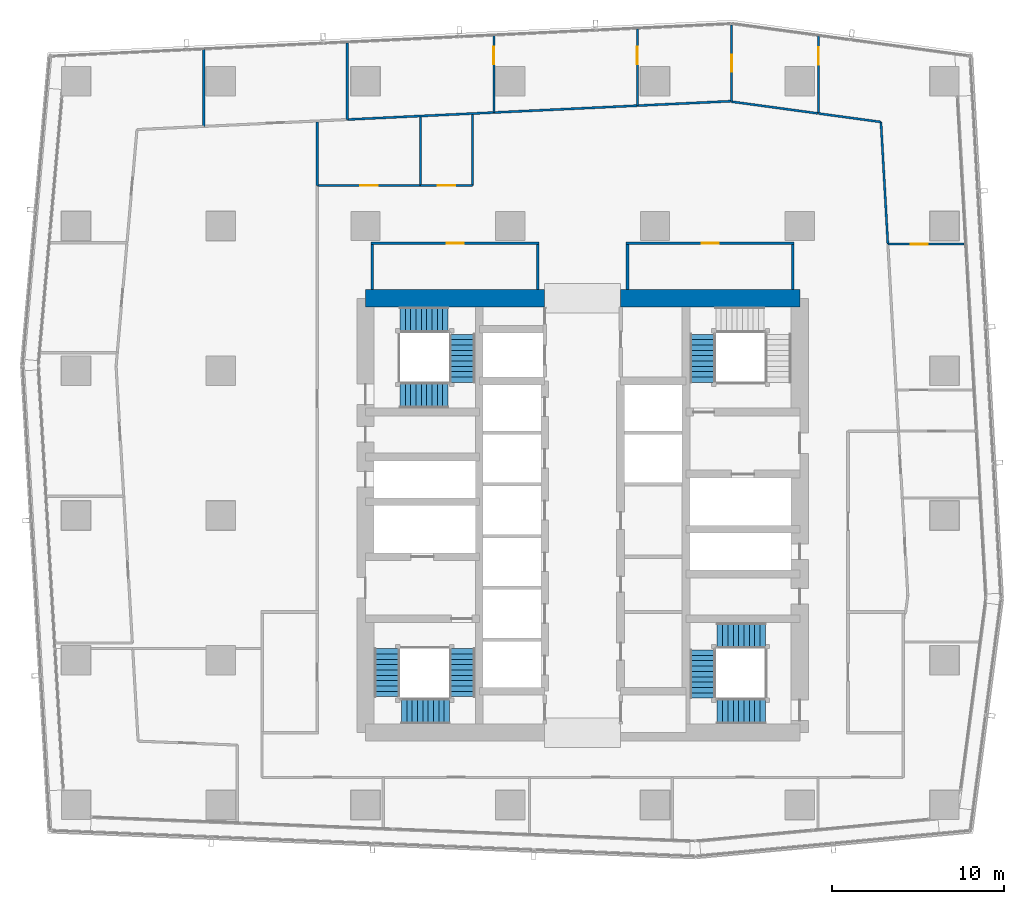
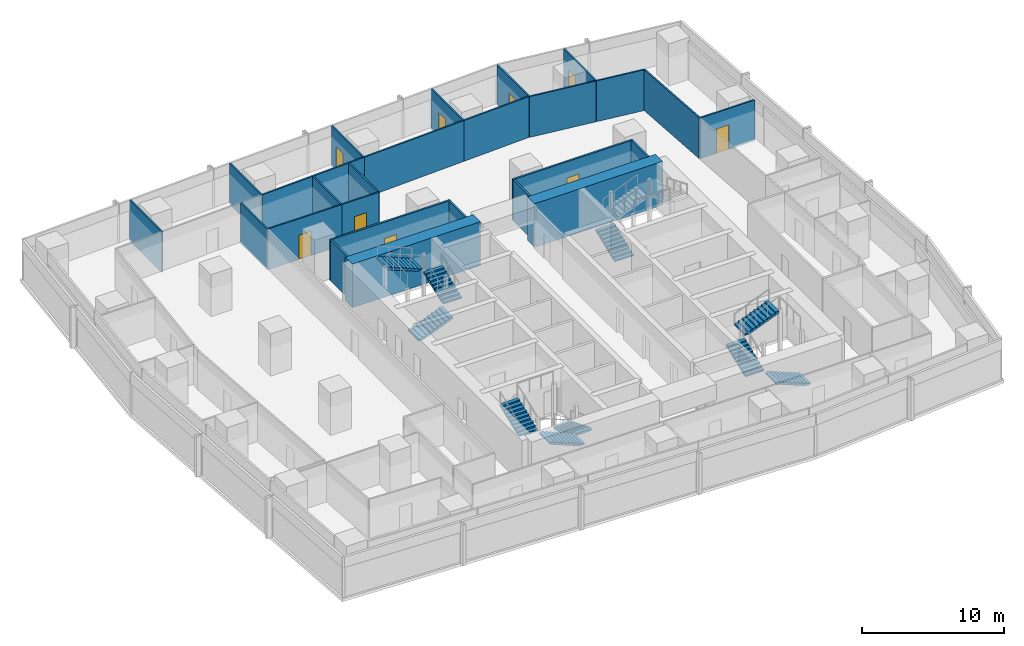
# One storey, part 30 of 39: 26 walls, 10 stair flights, 9 doors, 9 openings, 4 elements without a shape of their own.
"""IFC4 building model written with IfcOpenShell, lengths in metres."""

from ifc_helpers import new_model, si_unit, direction, frame, frame_2d, origin, place, context, subcontext, project, spatial, polyline, rectangle, outline, extrude, material, layer, layer_set, type_object, element, fill, aggregate, save


model = new_model("IFC4")

# Units and contexts
model_context = context("Model", 3, precision=1e-05, world=origin(), true_north=direction((0.0, 1.0)))
body_context = subcontext(model_context, "Body", "Model", "MODEL_VIEW")
ifc_project = project(units=[si_unit("LENGTHUNIT", "METRE"), si_unit("AREAUNIT", "SQUARE_METRE"), si_unit("VOLUMEUNIT", "CUBIC_METRE"), si_unit("PLANEANGLEUNIT", "RADIAN"), si_unit("MASSUNIT", "GRAM", prefix="KILO")], contexts=[model_context])

# Site, building, storey
site_placement = place(None, origin())
site = spatial("IfcSite", under=ifc_project, at=site_placement, CompositionType="ELEMENT")
building_placement = place(site_placement, origin())
building = spatial("IfcBuilding", under=site, at=building_placement, Name="Rekha Terrace Tower", CompositionType="ELEMENT")
storey_placement = place(building_placement, frame((0.0, 0.0, 183.949951171875)))
storey = spatial("IfcBuildingStorey", under=building, at=storey_placement, Name="L46", CompositionType="ELEMENT", Elevation=183.949951171875)

# Walls
ifc_material_1 = material(Name="Concrete M60", Category="concrete")
ifc_layer_1 = layer(ifc_material_1, 1.0)
ifc_layer_set_1 = layer_set([ifc_layer_1], Name="Concrete M60")
wall_type_1 = type_object("IfcWallType", Name="SW3 1000 core outer shear wall", PredefinedType="SHEAR", material=ifc_layer_set_1)
wall_1_placement = place(storey_placement, frame((25.199951171875, 46.199951171875, 0.0), z_axis=(0.0, 0.0, 1.0), x_axis=(1.0, 0.0, 0.0)))
element("IfcWall", 1, at=wall_1_placement, inside=storey, type_object=wall_type_1, Name="Core wall N1 L46", PredefinedType="SHEAR", context=body_context, shape_type="SweptSolid", body=[
    extrude(rectangle(XDim=10.400146484375, YDim=1.0, at=frame_2d((5.2001953125, 0.0))), origin(), (0.0, 0.0, 1.0), 3.75),
])
wall_2_placement = place(storey_placement, frame((40.0, 46.199951171875, 0.0), z_axis=(0.0, 0.0, 1.0), x_axis=(1.0, 0.0, 0.0)))
element("IfcWall", 2, at=wall_2_placement, inside=storey, type_object=wall_type_1, Name="Core wall N2 L46", PredefinedType="SHEAR", context=body_context, shape_type="SweptSolid", body=[
    extrude(rectangle(XDim=10.39990234375, YDim=1.0, at=frame_2d((5.199951171875, 0.0))), origin(), (0.0, 0.0, 1.0), 3.75),
])

# Wall, opening, door
ifc_material_2 = material(Name="Concrete block masonry, 1 hour", Category="masonry")
ifc_layer_2 = layer(ifc_material_2, 0.14990234375)
ifc_layer_set_2 = layer_set([ifc_layer_2], Name="Concrete block masonry, 1 hour")
wall_type_2 = type_object("IfcWallType", Name="WP2 150 tenancy partition", PredefinedType="PARTITIONING", material=ifc_layer_set_2)
wall_3_placement = place(storey_placement, frame((40.324951171875, 49.39990234375, 0.0), z_axis=(0.0, 0.0, 1.0), x_axis=(1.0, 0.0, 0.0)))
wall_3 = element("IfcWall", 3, at=wall_3_placement, inside=storey, type_object=wall_type_2, Name="Women's WC wall L46", PredefinedType="PARTITIONING", context=body_context, shape_type="SweptSolid", body=[
    extrude(rectangle(XDim=9.75, YDim=0.14990234375, at=frame_2d((4.875, 0.0))), origin(), (0.0, 0.0, 1.0), 3.5),
])
opening_1_placement = place(wall_3_placement, frame((4.375, 0.0, 0.0)))
opening_1 = element("IfcOpeningElement", 4, at=opening_1_placement, cuts=wall_3, Name="Opening D3", PredefinedType="OPENING", context=body_context, shape_type="SweptSolid", body=[
    extrude(rectangle(XDim=1.0, YDim=2.10009765625, at=frame_2d((0.5, 1.050048828125))), frame((0.0, 0.0849609375, 0.0), z_axis=(0.0, -1.0, 0.0), x_axis=(1.0, 0.0, 0.0)), (0.0, 0.0, 1.0), 0.169921875),
])
ifc_material_3 = material(Name="Laminated timber fire door", Category="wood")
door_type_1 = type_object("IfcDoorType", Name="D3 1000x2100 WC door", OperationType="SINGLE_SWING_LEFT", PredefinedType="DOOR", material=ifc_material_3)
door_1_placement = place(opening_1_placement, origin())
door_1 = element("IfcDoor", 5, at=door_1_placement, inside=storey, type_object=door_type_1, Name="Door women's wc L46", OperationType="SINGLE_SWING_LEFT", OverallHeight=2.10009765625, OverallWidth=1.0, PredefinedType="DOOR", context=body_context, shape_type="SweptSolid", body=[
    extrude(rectangle(XDim=1.0, YDim=2.10009765625, at=frame_2d((0.5, 1.050048828125))), frame((0.0, 0.02490234375, 0.0), z_axis=(0.0, -1.0, 0.0), x_axis=(1.0, 0.0, 0.0)), (0.0, 0.0, 1.0), 0.050048828125),
])
fill(opening_1, door_1)

# Walls
for number, where, z_axis, x_axis, name in (
    (6, (40.39990234375, 46.699951171875, 0.0), (0.0, 0.0, 1.0), (0.0, 1.0, 0.0), "Women's WC wall L46"),
    (7, (50.0, 46.699951171875, 0.0), (0.0, 0.0, 1.0), (0.0, 1.0, 0.0), "Women's WC wall L46"),
):
    element("IfcWall", number, at=place(storey_placement, frame(where, z_axis=z_axis, x_axis=x_axis)), inside=storey, type_object=wall_type_2, Name=name, PredefinedType="PARTITIONING", context=body_context, shape_type="SweptSolid", body=[
        extrude(rectangle(XDim=2.625, YDim=0.14990234375, at=frame_2d((1.3125, 0.0))), origin(), (0.0, 0.0, 1.0), 3.5),
    ])

# Wall, opening, door
wall_4_placement = place(storey_placement, frame((25.52490234375, 49.39990234375, 0.0), z_axis=(0.0, 0.0, 1.0), x_axis=(1.0, 0.0, 0.0)))
wall_4 = element("IfcWall", 8, at=wall_4_placement, inside=storey, type_object=wall_type_2, Name="Women's WC wall L46", PredefinedType="PARTITIONING", context=body_context, shape_type="SweptSolid", body=[
    extrude(rectangle(XDim=9.75, YDim=0.14990234375, at=frame_2d((4.875, 0.0))), origin(), (0.0, 0.0, 1.0), 3.5),
])
opening_2_placement = place(wall_4_placement, frame((4.375, 0.0, 0.0)))
opening_2 = element("IfcOpeningElement", 9, at=opening_2_placement, cuts=wall_4, Name="Opening D3", PredefinedType="OPENING", context=body_context, shape_type="SweptSolid", body=[
    extrude(rectangle(XDim=1.0, YDim=2.10009765625, at=frame_2d((0.5, 1.050048828125))), frame((0.0, 0.0849609375, 0.0), z_axis=(0.0, -1.0, 0.0), x_axis=(1.0, 0.0, 0.0)), (0.0, 0.0, 1.0), 0.169921875),
])
door_2_placement = place(opening_2_placement, origin())
door_2 = element("IfcDoor", 10, at=door_2_placement, inside=storey, type_object=door_type_1, Name="Door women's wc L46", OperationType="SINGLE_SWING_LEFT", OverallHeight=2.10009765625, OverallWidth=1.0, PredefinedType="DOOR", context=body_context, shape_type="SweptSolid", body=[
    extrude(rectangle(XDim=1.0, YDim=2.10009765625, at=frame_2d((0.5, 1.050048828125))), frame((0.0, 0.02490234375, 0.0), z_axis=(0.0, -1.0, 0.0), x_axis=(1.0, 0.0, 0.0)), (0.0, 0.0, 1.0), 0.050048828125),
])
fill(opening_2, door_2)

# Walls
for number, where, z_axis, x_axis, name in (
    (11, (25.60009765625, 46.699951171875, 0.0), (0.0, 0.0, 1.0), (0.0, 1.0, 0.0), "Women's WC wall L46"),
    (12, (35.199951171875, 46.699951171875, 0.0), (0.0, 0.0, 1.0), (0.0, 1.0, 0.0), "Women's WC wall L46"),
):
    element("IfcWall", number, at=place(storey_placement, frame(where, z_axis=z_axis, x_axis=x_axis)), inside=storey, type_object=wall_type_2, Name=name, PredefinedType="PARTITIONING", context=body_context, shape_type="SweptSolid", body=[
        extrude(rectangle(XDim=2.625, YDim=0.14990234375, at=frame_2d((1.3125, 0.0))), origin(), (0.0, 0.0, 1.0), 3.5),
    ])

# Wall, opening, door
ifc_material_4 = material(Name="Two layers of fire-rated gypsum board each side on steel studs, acoustic quilt, 1 hour", Category="steel")
ifc_layer_3 = layer(ifc_material_4, 0.125)
ifc_layer_set_3 = layer_set([ifc_layer_3], Name="Two layers of fire-rated gypsum board each side on steel studs, acoustic quilt, 1 hour")
wall_type_3 = type_object("IfcWallType", Name="WP3 125 office partition", PredefinedType="PARTITIONING", material=ifc_layer_set_3)
wall_5_placement = place(storey_placement, frame((55.511962890625, 49.345947265625, 0.0), z_axis=(0.0, 0.0, 1.0), x_axis=(1.0, 0.0, 0.0)))
wall_5 = element("IfcWall", 13, at=wall_5_placement, inside=storey, type_object=wall_type_3, Name="Partition L46-11", PredefinedType="PARTITIONING", context=body_context, shape_type="SweptSolid", body=[
    extrude(rectangle(XDim=4.427001953125, YDim=0.125, at=frame_2d((2.21337890625, 0.0))), origin(), (0.0, 0.0, 1.0), 3.5),
])
opening_3_placement = place(wall_5_placement, frame((1.31298828125, 0.0, 0.0)))
opening_3 = element("IfcOpeningElement", 14, at=opening_3_placement, cuts=wall_5, Name="Opening D9", PredefinedType="OPENING", context=body_context, shape_type="SweptSolid", body=[
    extrude(rectangle(XDim=1.0, YDim=2.10009765625, at=frame_2d((0.5, 1.050048828125))), frame((0.0, 0.072509765625, 0.0), z_axis=(0.0, -1.0, 0.0), x_axis=(1.0, 0.0, 0.0)), (0.0, 0.0, 1.0), 0.14501953125),
])
ifc_material_5 = material(Name="Timber fire door", Category="wood")
door_type_2 = type_object("IfcDoorType", Name="D9 1000x2100 office door", OperationType="SINGLE_SWING_LEFT", PredefinedType="DOOR", material=ifc_material_5)
door_3_placement = place(opening_3_placement, origin())
door_3 = element("IfcDoor", 15, at=door_3_placement, inside=storey, type_object=door_type_2, Name="Door director's office L46", OperationType="SINGLE_SWING_LEFT", OverallHeight=2.10009765625, OverallWidth=1.0, PredefinedType="DOOR", context=body_context, shape_type="SweptSolid", body=[
    extrude(rectangle(XDim=1.0, YDim=2.10009765625, at=frame_2d((0.5, 1.050048828125))), frame((0.0, 0.02490234375, 0.0), z_axis=(0.0, -1.0, 0.0), x_axis=(1.0, 0.0, 0.0)), (0.0, 0.0, 1.0), 0.050048828125),
])
fill(opening_3, door_3)

# Walls
wall_6_placement = place(storey_placement, frame((55.511962890625, 49.346923828125, 0.0), z_axis=(0.0, 0.0, 1.0), x_axis=(-0.056790198377, 0.998386134403, 0.0)))
element("IfcWall", 16, at=wall_6_placement, inside=storey, type_object=wall_type_3, Name="Partition L46-12", PredefinedType="PARTITIONING", context=body_context, shape_type="SweptSolid", body=[
    extrude(rectangle(XDim=7.09765625, YDim=0.125, at=frame_2d((3.548828125, 0.0))), origin(), (0.0, 0.0, 1.0), 3.5),
])
wall_7_placement = place(storey_placement, frame((55.10888671875, 56.43310546875, 0.0), z_axis=(0.0, 0.0, 1.0), x_axis=(-0.990875204357, 0.134782526282, 0.0)))
element("IfcWall", 17, at=wall_7_placement, inside=storey, type_object=wall_type_3, Name="Partition L46-12", PredefinedType="PARTITIONING", context=body_context, shape_type="SweptSolid", body=[
    extrude(rectangle(XDim=3.6572265625, YDim=0.125, at=frame_2d((1.82861328125, 0.0))), origin(), (0.0, 0.0, 1.0), 3.5),
])

# Wall, opening, door
wall_8_placement = place(storey_placement, frame((51.485107421875, 56.926025390625, 0.0), z_axis=(0.0, 0.0, 1.0), x_axis=(0.0, 1.0, 0.0)))
wall_8 = element("IfcWall", 18, at=wall_8_placement, inside=storey, type_object=wall_type_3, Name="Partition L46-12", PredefinedType="PARTITIONING", context=body_context, shape_type="SweptSolid", body=[
    extrude(rectangle(XDim=4.491943359375, YDim=0.125, at=frame_2d((2.24609375, 0.0))), origin(), (0.0, 0.0, 1.0), 3.5),
])
opening_4_placement = place(wall_8_placement, frame((2.8310546875, 0.0, 0.0)))
opening_4 = element("IfcOpeningElement", 19, at=opening_4_placement, cuts=wall_8, Name="Opening D9", PredefinedType="OPENING", context=body_context, shape_type="SweptSolid", body=[
    extrude(rectangle(XDim=1.0, YDim=2.10009765625, at=frame_2d((0.5, 1.050048828125))), frame((0.0, 0.072509765625, 0.0), z_axis=(0.0, -1.0, 0.0), x_axis=(1.0, 0.0, 0.0)), (0.0, 0.0, 1.0), 0.14501953125),
])
door_4_placement = place(opening_4_placement, origin())
door_4 = element("IfcDoor", 20, at=door_4_placement, inside=storey, type_object=door_type_2, Name="Door office L46", OperationType="SINGLE_SWING_LEFT", OverallHeight=2.10009765625, OverallWidth=1.0, PredefinedType="DOOR", context=body_context, shape_type="SweptSolid", body=[
    extrude(rectangle(XDim=1.0, YDim=2.10009765625, at=frame_2d((0.5, 1.050048828125))), frame((0.0, 0.02490234375, 0.0), z_axis=(0.0, -1.0, 0.0), x_axis=(1.0, 0.0, 0.0)), (0.0, 0.0, 1.0), 0.050048828125),
])
fill(opening_4, door_4)

# Wall
wall_9_placement = place(storey_placement, frame((51.422119140625, 56.93505859375, 0.0), z_axis=(0.0, 0.0, 1.0), x_axis=(-0.990875070968, 0.134783506906, 0.0)))
element("IfcWall", 21, at=wall_9_placement, inside=storey, type_object=wall_type_3, Name="Partition L46-13", PredefinedType="PARTITIONING", context=body_context, shape_type="SweptSolid", body=[
    extrude(rectangle(XDim=5.02294921875, YDim=0.125, at=frame_2d((2.511474609375, 0.0))), origin(), (0.0, 0.0, 1.0), 3.5),
])

# Wall, opening, door
wall_10_placement = place(storey_placement, frame((46.445068359375, 57.62109375, 0.0), z_axis=(0.0, 0.0, 1.0), x_axis=(0.0, 1.0, 0.0)))
wall_10 = element("IfcWall", 22, at=wall_10_placement, inside=storey, type_object=wall_type_3, Name="Partition L46-13", PredefinedType="PARTITIONING", context=body_context, shape_type="SweptSolid", body=[
    extrude(rectangle(XDim=4.44580078125, YDim=0.125, at=frame_2d((2.222900390625, 0.0))), origin(), (0.0, 0.0, 1.0), 3.5),
])
opening_5_placement = place(wall_10_placement, frame((1.718994140625, 0.0, 0.0)))
opening_5 = element("IfcOpeningElement", 23, at=opening_5_placement, cuts=wall_10, Name="Opening D9", PredefinedType="OPENING", context=body_context, shape_type="SweptSolid", body=[
    extrude(rectangle(XDim=1.0, YDim=2.10009765625, at=frame_2d((0.5, 1.050048828125))), frame((0.0, 0.072509765625, 0.0), z_axis=(0.0, -1.0, 0.0), x_axis=(1.0, 0.0, 0.0)), (0.0, 0.0, 1.0), 0.14501953125),
])
door_5_placement = place(opening_5_placement, origin())
door_5 = element("IfcDoor", 24, at=door_5_placement, inside=storey, type_object=door_type_2, Name="Door office L46", OperationType="SINGLE_SWING_LEFT", OverallHeight=2.10009765625, OverallWidth=1.0, PredefinedType="DOOR", context=body_context, shape_type="SweptSolid", body=[
    extrude(rectangle(XDim=1.0, YDim=2.10009765625, at=frame_2d((0.5, 1.050048828125))), frame((0.0, 0.02490234375, 0.0), z_axis=(0.0, -1.0, 0.0), x_axis=(1.0, 0.0, 0.0)), (0.0, 0.0, 1.0), 0.050048828125),
])
fill(opening_5, door_5)

wall_11_placement = place(storey_placement, frame((40.97802734375, 57.381103515625, 0.0), z_axis=(0.0, 0.0, 1.0), x_axis=(0.0, 1.0, 0.0)))
wall_11 = element("IfcWall", 25, at=wall_11_placement, inside=storey, type_object=wall_type_3, Name="Partition L46-14", PredefinedType="PARTITIONING", context=body_context, shape_type="SweptSolid", body=[
    extrude(rectangle(XDim=4.454833984375, YDim=0.125, at=frame_2d((2.2275390625, 0.0))), origin(), (0.0, 0.0, 1.0), 3.5),
])
opening_6_placement = place(wall_11_placement, frame((2.412109375, 0.0, 0.0)))
opening_6 = element("IfcOpeningElement", 26, at=opening_6_placement, cuts=wall_11, Name="Opening D9", PredefinedType="OPENING", context=body_context, shape_type="SweptSolid", body=[
    extrude(rectangle(XDim=1.0, YDim=2.10009765625, at=frame_2d((0.5, 1.050048828125))), frame((0.0, 0.072509765625, 0.0), z_axis=(0.0, -1.0, 0.0), x_axis=(1.0, 0.0, 0.0)), (0.0, 0.0, 1.0), 0.14501953125),
])
door_6_placement = place(opening_6_placement, origin())
door_6 = element("IfcDoor", 27, at=door_6_placement, inside=storey, type_object=door_type_2, Name="Door office L46", OperationType="SINGLE_SWING_LEFT", OverallHeight=2.10009765625, OverallWidth=1.0, PredefinedType="DOOR", context=body_context, shape_type="SweptSolid", body=[
    extrude(rectangle(XDim=1.0, YDim=2.10009765625, at=frame_2d((0.5, 1.050048828125))), frame((0.0, 0.02490234375, 0.0), z_axis=(0.0, -1.0, 0.0), x_axis=(1.0, 0.0, 0.0)), (0.0, 0.0, 1.0), 0.050048828125),
])
fill(opening_6, door_6)

# Walls
wall_12_placement = place(storey_placement, frame((46.383056640625, 57.638916015625, 0.0), z_axis=(0.0, 0.0, 1.0), x_axis=(-0.998864357741, -0.047644462793, 0.0)))
element("IfcWall", 28, at=wall_12_placement, inside=storey, type_object=wall_type_3, Name="Partition L46-14", PredefinedType="PARTITIONING", context=body_context, shape_type="SweptSolid", body=[
    extrude(rectangle(XDim=5.4111328125, YDim=0.125, at=frame_2d((2.70556640625, 0.0))), origin(), (0.0, 0.0, 1.0), 3.5),
])
wall_13_placement = place(storey_placement, frame((40.97705078125, 57.381103515625, 0.0), z_axis=(0.0, 0.0, 1.0), x_axis=(-0.998858643294, -0.047764115375, 0.0)))
element("IfcWall", 29, at=wall_13_placement, inside=storey, type_object=wall_type_3, Name="Partition L46-15", PredefinedType="PARTITIONING", context=body_context, shape_type="SweptSolid", body=[
    extrude(rectangle(XDim=8.336669921875, YDim=0.125, at=frame_2d((4.16845703125, 0.0))), origin(), (0.0, 0.0, 1.0), 3.5),
])

# Wall, opening, door
wall_14_placement = place(storey_placement, frame((32.64990234375, 56.98291015625, 0.0), z_axis=(0.0, 0.0, 1.0), x_axis=(0.0, 1.0, 0.0)))
wall_14 = element("IfcWall", 30, at=wall_14_placement, inside=storey, type_object=wall_type_3, Name="Partition L46-15", PredefinedType="PARTITIONING", context=body_context, shape_type="SweptSolid", body=[
    extrude(rectangle(XDim=4.455078125, YDim=0.125, at=frame_2d((2.2275390625, 0.0))), origin(), (0.0, 0.0, 1.0), 3.5),
])
opening_7_placement = place(wall_14_placement, frame((2.81201171875, 0.0, 0.0)))
opening_7 = element("IfcOpeningElement", 31, at=opening_7_placement, cuts=wall_14, Name="Opening D9", PredefinedType="OPENING", context=body_context, shape_type="SweptSolid", body=[
    extrude(rectangle(XDim=1.0, YDim=2.10009765625, at=frame_2d((0.5, 1.050048828125))), frame((0.0, 0.072509765625, 0.0), z_axis=(0.0, -1.0, 0.0), x_axis=(1.0, 0.0, 0.0)), (0.0, 0.0, 1.0), 0.14501953125),
])
door_7_placement = place(opening_7_placement, origin())
door_7 = element("IfcDoor", 32, at=door_7_placement, inside=storey, type_object=door_type_2, Name="Door office L46", OperationType="SINGLE_SWING_LEFT", OverallHeight=2.10009765625, OverallWidth=1.0, PredefinedType="DOOR", context=body_context, shape_type="SweptSolid", body=[
    extrude(rectangle(XDim=1.0, YDim=2.10009765625, at=frame_2d((0.5, 1.050048828125))), frame((0.0, 0.02490234375, 0.0), z_axis=(0.0, -1.0, 0.0), x_axis=(1.0, 0.0, 0.0)), (0.0, 0.0, 1.0), 0.050048828125),
])
fill(opening_7, door_7)

# Walls
wall_15_placement = place(storey_placement, frame((32.64892578125, 56.98291015625, 0.0), z_axis=(0.0, 0.0, 1.0), x_axis=(-0.998857279552, -0.047792625861, 0.0)))
element("IfcWall", 33, at=wall_15_placement, inside=storey, type_object=wall_type_3, Name="Partition L46-16", PredefinedType="PARTITIONING", context=body_context, shape_type="SweptSolid", body=[
    extrude(rectangle(XDim=8.515625, YDim=0.125, at=frame_2d((4.2578125, 0.0))), origin(), (0.0, 0.0, 1.0), 3.5),
])
for number, where, z_axis, x_axis, name in (
    (34, (24.14306640625, 56.575927734375, 0.0), (0.0, 0.0, 1.0), (0.0, 1.0, 0.0), "Partition L46-16"),
    (35, (15.81591796875, 56.177978515625, 0.0), (0.0, 0.0, 1.0), (0.0, 1.0, 0.0), "Partition L46-17"),
):
    element("IfcWall", number, at=place(storey_placement, frame(where, z_axis=z_axis, x_axis=x_axis)), inside=storey, type_object=wall_type_3, Name=name, PredefinedType="PARTITIONING", context=body_context, shape_type="SweptSolid", body=[
        extrude(rectangle(XDim=4.455078125, YDim=0.125, at=frame_2d((2.2275390625, 0.0))), origin(), (0.0, 0.0, 1.0), 3.5),
    ])
wall_16_placement = place(storey_placement, frame((28.39990234375, 56.717041015625, 0.0), z_axis=(0.0, 0.0, 1.0), x_axis=(0.0, -1.0, 0.0)))
element("IfcWall", 36, at=wall_16_placement, inside=storey, type_object=wall_type_3, Name="Partition L46-22", PredefinedType="PARTITIONING", context=body_context, shape_type="SweptSolid", body=[
    extrude(rectangle(XDim=3.967041015625, YDim=0.125, at=frame_2d((1.9833984375, 0.0))), origin(), (0.0, 0.0, 1.0), 3.5),
])

# Wall, opening, door
wall_17_placement = place(storey_placement, frame((28.39990234375, 52.75, 0.0), z_axis=(0.0, 0.0, 1.0), x_axis=(-1.0, 0.0, 0.0)))
wall_17 = element("IfcWall", 37, at=wall_17_placement, inside=storey, type_object=wall_type_3, Name="Partition L46-22", PredefinedType="PARTITIONING", context=body_context, shape_type="SweptSolid", body=[
    extrude(rectangle(XDim=6.0, YDim=0.125, at=frame_2d((3.0, 0.0))), origin(), (0.0, 0.0, 1.0), 3.5),
])
opening_8_placement = place(wall_17_placement, frame((2.5, 0.0, 0.0)))
opening_8 = element("IfcOpeningElement", 38, at=opening_8_placement, cuts=wall_17, Name="Opening D9", PredefinedType="OPENING", context=body_context, shape_type="SweptSolid", body=[
    extrude(rectangle(XDim=1.0, YDim=2.10009765625, at=frame_2d((0.5, 1.050048828125))), frame((0.0, 0.072509765625, 0.0), z_axis=(0.0, -1.0, 0.0), x_axis=(1.0, 0.0, 0.0)), (0.0, 0.0, 1.0), 0.14501953125),
])
door_8_placement = place(opening_8_placement, origin())
door_8 = element("IfcDoor", 39, at=door_8_placement, inside=storey, type_object=door_type_2, Name="Door reception L46", OperationType="SINGLE_SWING_LEFT", OverallHeight=2.10009765625, OverallWidth=1.0, PredefinedType="DOOR", context=body_context, shape_type="SweptSolid", body=[
    extrude(rectangle(XDim=1.0, YDim=2.10009765625, at=frame_2d((0.5, 1.050048828125))), frame((0.0, 0.02490234375, 0.0), z_axis=(0.0, -1.0, 0.0), x_axis=(1.0, 0.0, 0.0)), (0.0, 0.0, 1.0), 0.050048828125),
])
fill(opening_8, door_8)

# Walls
wall_18_placement = place(storey_placement, frame((22.39990234375, 52.75, 0.0), z_axis=(0.0, 0.0, 1.0), x_axis=(0.0, 1.0, 0.0)))
element("IfcWall", 40, at=wall_18_placement, inside=storey, type_object=wall_type_3, Name="Partition L46-22", PredefinedType="PARTITIONING", context=body_context, shape_type="SweptSolid", body=[
    extrude(rectangle(XDim=3.679931640625, YDim=0.125, at=frame_2d((1.83984375, 0.0))), origin(), (0.0, 0.0, 1.0), 3.5),
])
wall_19_placement = place(storey_placement, frame((31.39990234375, 56.861083984375, 0.0), z_axis=(0.0, 0.0, 1.0), x_axis=(0.0, -1.0, 0.0)))
element("IfcWall", 41, at=wall_19_placement, inside=storey, type_object=wall_type_3, Name="Partition L46-23", PredefinedType="PARTITIONING", context=body_context, shape_type="SweptSolid", body=[
    extrude(rectangle(XDim=4.111083984375, YDim=0.125, at=frame_2d((2.0556640625, 0.0))), origin(), (0.0, 0.0, 1.0), 3.5),
])

# Wall, opening, door
wall_20_placement = place(storey_placement, frame((31.39990234375, 52.75, 0.0), z_axis=(0.0, 0.0, 1.0), x_axis=(-1.0, 0.0, 0.0)))
wall_20 = element("IfcWall", 42, at=wall_20_placement, inside=storey, type_object=wall_type_3, Name="Partition L46-23", PredefinedType="PARTITIONING", context=body_context, shape_type="SweptSolid", body=[
    extrude(rectangle(XDim=3.0, YDim=0.125, at=frame_2d((1.5, 0.0))), origin(), (0.0, 0.0, 1.0), 3.5),
])
opening_9_placement = place(wall_20_placement, frame((1.0, 0.0, 0.0)))
opening_9 = element("IfcOpeningElement", 43, at=opening_9_placement, cuts=wall_20, Name="Opening D9", PredefinedType="OPENING", context=body_context, shape_type="SweptSolid", body=[
    extrude(rectangle(XDim=1.0, YDim=2.10009765625, at=frame_2d((0.5, 1.050048828125))), frame((0.0, 0.072509765625, 0.0), z_axis=(0.0, -1.0, 0.0), x_axis=(1.0, 0.0, 0.0)), (0.0, 0.0, 1.0), 0.14501953125),
])
door_9_placement = place(opening_9_placement, origin())
door_9 = element("IfcDoor", 44, at=door_9_placement, inside=storey, type_object=door_type_2, Name="Door print room L46", OperationType="SINGLE_SWING_LEFT", OverallHeight=2.10009765625, OverallWidth=1.0, PredefinedType="DOOR", context=body_context, shape_type="SweptSolid", body=[
    extrude(rectangle(XDim=1.0, YDim=2.10009765625, at=frame_2d((0.5, 1.050048828125))), frame((0.0, 0.02490234375, 0.0), z_axis=(0.0, -1.0, 0.0), x_axis=(1.0, 0.0, 0.0)), (0.0, 0.0, 1.0), 0.050048828125),
])
fill(opening_9, door_9)

# Stair, stair flights
ifc_material_6 = material(Name="Concrete M40", Category="concrete")
stair_type = type_object("IfcStairType", Name="ST30 stair, 30 risers of 125, going 310, 1500 wide flights, 3 flights", PredefinedType="HALF_TURN_STAIR", material=ifc_material_6)
stair_1_placement = place(storey_placement, origin())
stair_1 = element("IfcStair", 45, at=stair_1_placement, inside=storey, type_object=stair_type, Name="Stair ST1 L46 to L47", PredefinedType="HALF_TURN_STAIR")
stair_flight_type = type_object("IfcStairFlightType", Name="SF10 stair flight, 10 risers of 125, going 310, 1500 wide", PredefinedType="STRAIGHT", material=ifc_material_6)
stair_flight_1_placement = place(storey_placement, frame((30.824951171875, 25.875, 0.0), z_axis=(0.0, 0.0, 1.0), x_axis=(0.0, -1.0, 0.0)))
stair_flight_1 = element("IfcStairFlight", 46, at=stair_flight_1_placement, type_object=stair_flight_type, Name="ST1 flight 1", NumberOfRisers=10, NumberOfTreads=9, PredefinedType="STRAIGHT", RiserHeight=0.125, TreadLength=0.31, context=body_context, shape_type="SweptSolid", body=[
    extrude(outline(polyline([(0.0, 0.0), (0.0, 0.125), (0.31005859375, 0.125), (0.31005859375, 0.25), (0.6201171875, 0.25), (0.6201171875, 0.375), (0.929931640625, 0.375), (0.929931640625, 0.5), (1.239990234375, 0.5), (1.239990234375, 0.625), (1.550048828125, 0.625), (1.550048828125, 0.75), (1.860107421875, 0.75), (1.860107421875, 0.875), (2.169921875, 0.875), (2.169921875, 1.0), (2.47998046875, 1.0), (2.47998046875, 1.125), (2.7900390625, 1.125), (2.7900390625, 1.25), (2.7900390625, 0.96337890625), (0.40087890625, 0.0), (0.0, 0.0)])), frame((0.0, 0.75, 0.0), z_axis=(0.0, -1.0, 0.0), x_axis=(1.0, 0.0, 0.0)), (0.0, 0.0, 1.0), 1.5),
])
stair_flight_2_placement = place(storey_placement, frame((30.074951171875, 22.25, 1.25), z_axis=(0.0, 0.0, 1.0), x_axis=(-1.0, 0.0, 0.0)))
stair_flight_2 = element("IfcStairFlight", 47, at=stair_flight_2_placement, type_object=stair_flight_type, Name="ST1 flight 2", NumberOfRisers=10, NumberOfTreads=9, PredefinedType="STRAIGHT", RiserHeight=0.125, TreadLength=0.31, context=body_context, shape_type="SweptSolid", body=[
    extrude(outline(polyline([(0.0, 0.0), (0.0, 0.125), (0.31005859375, 0.125), (0.31005859375, 0.25), (0.6201171875, 0.25), (0.6201171875, 0.375), (0.929931640625, 0.375), (0.929931640625, 0.5), (1.239990234375, 0.5), (1.239990234375, 0.625), (1.550048828125, 0.625), (1.550048828125, 0.75), (1.860107421875, 0.75), (1.860107421875, 0.875), (2.169921875, 0.875), (2.169921875, 1.0), (2.47998046875, 1.0), (2.47998046875, 1.125), (2.7900390625, 1.125), (2.7900390625, 1.25), (2.7900390625, 0.96337890625), (0.40087890625, 0.0), (0.0, 0.0)])), frame((0.0, 0.75, 0.0), z_axis=(0.0, -1.0, 0.0), x_axis=(1.0, 0.0, 0.0)), (0.0, 0.0, 1.0), 1.5),
])
stair_flight_3_placement = place(storey_placement, frame((26.449951171875, 23.0849609375, 2.5), z_axis=(0.0, 0.0, 1.0), x_axis=(0.0, 1.0, 0.0)))
stair_flight_3 = element("IfcStairFlight", 48, at=stair_flight_3_placement, type_object=stair_flight_type, Name="ST1 flight 3", NumberOfRisers=10, NumberOfTreads=9, PredefinedType="STRAIGHT", RiserHeight=0.125, TreadLength=0.31, context=body_context, shape_type="SweptSolid", body=[
    extrude(outline(polyline([(0.0, 0.0), (0.0, 0.125), (0.31005859375, 0.125), (0.31005859375, 0.25), (0.6201171875, 0.25), (0.6201171875, 0.375), (0.929931640625, 0.375), (0.929931640625, 0.5), (1.239990234375, 0.5), (1.239990234375, 0.625), (1.550048828125, 0.625), (1.550048828125, 0.75), (1.860107421875, 0.75), (1.860107421875, 0.875), (2.169921875, 0.875), (2.169921875, 1.0), (2.47998046875, 1.0), (2.47998046875, 1.125), (2.7900390625, 1.125), (2.7900390625, 1.25), (2.7900390625, 0.96337890625), (0.40087890625, 0.0), (0.0, 0.0)])), frame((0.0, 0.75, 0.0), z_axis=(0.0, -1.0, 0.0), x_axis=(1.0, 0.0, 0.0)), (0.0, 0.0, 1.0), 1.5),
])
aggregate(stair_1, [stair_flight_1, stair_flight_2, stair_flight_3])

# Stair, stair flight
stair_2_placement = place(storey_placement, origin())
stair_2 = element("IfcStair", 49, at=stair_2_placement, inside=storey, type_object=stair_type, Name="Stair ST2 L46 to L47", PredefinedType="HALF_TURN_STAIR")
stair_flight_4_placement = place(storey_placement, frame((44.77490234375, 41.324951171875, 0.0), z_axis=(0.0, 0.0, 1.0), x_axis=(0.0, 1.0, 0.0)))
stair_flight_4 = element("IfcStairFlight", 50, at=stair_flight_4_placement, type_object=stair_flight_type, Name="ST2 flight 1", NumberOfRisers=10, NumberOfTreads=9, PredefinedType="STRAIGHT", RiserHeight=0.125, TreadLength=0.31, context=body_context, shape_type="SweptSolid", body=[
    extrude(outline(polyline([(0.0, 0.0), (0.0, 0.125), (0.31005859375, 0.125), (0.31005859375, 0.25), (0.6201171875, 0.25), (0.6201171875, 0.375), (0.929931640625, 0.375), (0.929931640625, 0.5), (1.239990234375, 0.5), (1.239990234375, 0.625), (1.550048828125, 0.625), (1.550048828125, 0.75), (1.860107421875, 0.75), (1.860107421875, 0.875), (2.169921875, 0.875), (2.169921875, 1.0), (2.47998046875, 1.0), (2.47998046875, 1.125), (2.7900390625, 1.125), (2.7900390625, 1.25), (2.7900390625, 0.96337890625), (0.40087890625, 0.0), (0.0, 0.0)])), frame((0.0, 0.75, 0.0), z_axis=(0.0, -1.0, 0.0), x_axis=(1.0, 0.0, 0.0)), (0.0, 0.0, 1.0), 1.5),
])
aggregate(stair_2, [stair_flight_4])

# Stair, stair flights
stair_3_placement = place(storey_placement, origin())
stair_3 = element("IfcStair", 51, at=stair_3_placement, inside=storey, type_object=stair_type, Name="Stair ST3 L46 to L47", PredefinedType="HALF_TURN_STAIR")
stair_flight_5_placement = place(storey_placement, frame((48.39990234375, 22.25, 0.0), z_axis=(0.0, 0.0, 1.0), x_axis=(-1.0, 0.0, 0.0)))
stair_flight_5 = element("IfcStairFlight", 52, at=stair_flight_5_placement, type_object=stair_flight_type, Name="ST3 flight 1", NumberOfRisers=10, NumberOfTreads=9, PredefinedType="STRAIGHT", RiserHeight=0.125, TreadLength=0.31, context=body_context, shape_type="SweptSolid", body=[
    extrude(outline(polyline([(0.0, 0.0), (0.0, 0.125), (0.31005859375, 0.125), (0.31005859375, 0.25), (0.6201171875, 0.25), (0.6201171875, 0.375), (0.929931640625, 0.375), (0.929931640625, 0.5), (1.239990234375, 0.5), (1.239990234375, 0.625), (1.550048828125, 0.625), (1.550048828125, 0.75), (1.860107421875, 0.75), (1.860107421875, 0.875), (2.169921875, 0.875), (2.169921875, 1.0), (2.47998046875, 1.0), (2.47998046875, 1.125), (2.7900390625, 1.125), (2.7900390625, 1.25), (2.7900390625, 0.96337890625), (0.40087890625, 0.0), (0.0, 0.0)])), frame((0.0, 0.75, 0.0), z_axis=(0.0, -1.0, 0.0), x_axis=(1.0, 0.0, 0.0)), (0.0, 0.0, 1.0), 1.5),
])
stair_flight_6_placement = place(storey_placement, frame((44.77490234375, 23.0, 1.25), z_axis=(0.0, 0.0, 1.0), x_axis=(0.0, 1.0, 0.0)))
stair_flight_6 = element("IfcStairFlight", 53, at=stair_flight_6_placement, type_object=stair_flight_type, Name="ST3 flight 2", NumberOfRisers=10, NumberOfTreads=9, PredefinedType="STRAIGHT", RiserHeight=0.125, TreadLength=0.31, context=body_context, shape_type="SweptSolid", body=[
    extrude(outline(polyline([(0.0, 0.0), (0.0, 0.125), (0.31005859375, 0.125), (0.31005859375, 0.25), (0.6201171875, 0.25), (0.6201171875, 0.375), (0.929931640625, 0.375), (0.929931640625, 0.5), (1.239990234375, 0.5), (1.239990234375, 0.625), (1.550048828125, 0.625), (1.550048828125, 0.75), (1.860107421875, 0.75), (1.860107421875, 0.875), (2.169921875, 0.875), (2.169921875, 1.0), (2.47998046875, 1.0), (2.47998046875, 1.125), (2.7900390625, 1.125), (2.7900390625, 1.25), (2.7900390625, 0.96337890625), (0.40087890625, 0.0), (0.0, 0.0)])), frame((0.0, 0.75, 0.0), z_axis=(0.0, -1.0, 0.0), x_axis=(1.0, 0.0, 0.0)), (0.0, 0.0, 1.0), 1.5),
])
stair_flight_7_placement = place(storey_placement, frame((45.610107421875, 26.625, 2.5), z_axis=(0.0, 0.0, 1.0), x_axis=(1.0, 0.0, 0.0)))
stair_flight_7 = element("IfcStairFlight", 54, at=stair_flight_7_placement, type_object=stair_flight_type, Name="ST3 flight 3", NumberOfRisers=10, NumberOfTreads=9, PredefinedType="STRAIGHT", RiserHeight=0.125, TreadLength=0.31, context=body_context, shape_type="SweptSolid", body=[
    extrude(outline(polyline([(0.0, 0.0), (0.0, 0.125), (0.31005859375, 0.125), (0.31005859375, 0.25), (0.6201171875, 0.25), (0.6201171875, 0.375), (0.929931640625, 0.375), (0.929931640625, 0.5), (1.239990234375, 0.5), (1.239990234375, 0.625), (1.550048828125, 0.625), (1.550048828125, 0.75), (1.860107421875, 0.75), (1.860107421875, 0.875), (2.169921875, 0.875), (2.169921875, 1.0), (2.47998046875, 1.0), (2.47998046875, 1.125), (2.7900390625, 1.125), (2.7900390625, 1.25), (2.7900390625, 0.96337890625), (0.40087890625, 0.0), (0.0, 0.0)])), frame((0.0, 0.75, 0.0), z_axis=(0.0, -1.0, 0.0), x_axis=(1.0, 0.0, 0.0)), (0.0, 0.0, 1.0), 1.5),
])
aggregate(stair_3, [stair_flight_5, stair_flight_6, stair_flight_7])

stair_4_placement = place(storey_placement, origin())
stair_4 = element("IfcStair", 55, at=stair_4_placement, inside=storey, type_object=stair_type, Name="Stair ST4 L46 to L47", PredefinedType="HALF_TURN_STAIR")
stair_flight_8_placement = place(storey_placement, frame((27.199951171875, 40.574951171875, 0.0), z_axis=(0.0, 0.0, 1.0), x_axis=(1.0, 0.0, 0.0)))
stair_flight_8 = element("IfcStairFlight", 56, at=stair_flight_8_placement, type_object=stair_flight_type, Name="ST4 flight 1", NumberOfRisers=10, NumberOfTreads=9, PredefinedType="STRAIGHT", RiserHeight=0.125, TreadLength=0.31, context=body_context, shape_type="SweptSolid", body=[
    extrude(outline(polyline([(0.0, 0.0), (0.0, 0.125), (0.31005859375, 0.125), (0.31005859375, 0.25), (0.6201171875, 0.25), (0.6201171875, 0.375), (0.929931640625, 0.375), (0.929931640625, 0.5), (1.239990234375, 0.5), (1.239990234375, 0.625), (1.550048828125, 0.625), (1.550048828125, 0.75), (1.860107421875, 0.75), (1.860107421875, 0.875), (2.169921875, 0.875), (2.169921875, 1.0), (2.47998046875, 1.0), (2.47998046875, 1.125), (2.7900390625, 1.125), (2.7900390625, 1.25), (2.7900390625, 0.96337890625), (0.40087890625, 0.0), (0.0, 0.0)])), frame((0.0, 0.75, 0.0), z_axis=(0.0, -1.0, 0.0), x_axis=(1.0, 0.0, 0.0)), (0.0, 0.0, 1.0), 1.5),
])
stair_flight_9_placement = place(storey_placement, frame((30.824951171875, 41.324951171875, 1.25), z_axis=(0.0, 0.0, 1.0), x_axis=(0.0, 1.0, 0.0)))
stair_flight_9 = element("IfcStairFlight", 57, at=stair_flight_9_placement, type_object=stair_flight_type, Name="ST4 flight 2", NumberOfRisers=10, NumberOfTreads=9, PredefinedType="STRAIGHT", RiserHeight=0.125, TreadLength=0.31, context=body_context, shape_type="SweptSolid", body=[
    extrude(outline(polyline([(0.0, 0.0), (0.0, 0.125), (0.31005859375, 0.125), (0.31005859375, 0.25), (0.6201171875, 0.25), (0.6201171875, 0.375), (0.929931640625, 0.375), (0.929931640625, 0.5), (1.239990234375, 0.5), (1.239990234375, 0.625), (1.550048828125, 0.625), (1.550048828125, 0.75), (1.860107421875, 0.75), (1.860107421875, 0.875), (2.169921875, 0.875), (2.169921875, 1.0), (2.47998046875, 1.0), (2.47998046875, 1.125), (2.7900390625, 1.125), (2.7900390625, 1.25), (2.7900390625, 0.96337890625), (0.40087890625, 0.0), (0.0, 0.0)])), frame((0.0, 0.75, 0.0), z_axis=(0.0, -1.0, 0.0), x_axis=(1.0, 0.0, 0.0)), (0.0, 0.0, 1.0), 1.5),
])
stair_flight_10_placement = place(storey_placement, frame((29.989990234375, 44.949951171875, 2.5), z_axis=(0.0, 0.0, 1.0), x_axis=(-1.0, 0.0, 0.0)))
stair_flight_10 = element("IfcStairFlight", 58, at=stair_flight_10_placement, type_object=stair_flight_type, Name="ST4 flight 3", NumberOfRisers=10, NumberOfTreads=9, PredefinedType="STRAIGHT", RiserHeight=0.125, TreadLength=0.31, context=body_context, shape_type="SweptSolid", body=[
    extrude(outline(polyline([(0.0, 0.0), (0.0, 0.125), (0.31005859375, 0.125), (0.31005859375, 0.25), (0.6201171875, 0.25), (0.6201171875, 0.375), (0.929931640625, 0.375), (0.929931640625, 0.5), (1.239990234375, 0.5), (1.239990234375, 0.625), (1.550048828125, 0.625), (1.550048828125, 0.75), (1.860107421875, 0.75), (1.860107421875, 0.875), (2.169921875, 0.875), (2.169921875, 1.0), (2.47998046875, 1.0), (2.47998046875, 1.125), (2.7900390625, 1.125), (2.7900390625, 1.25), (2.7900390625, 0.96337890625), (0.40087890625, 0.0), (0.0, 0.0)])), frame((0.0, 0.75, 0.0), z_axis=(0.0, -1.0, 0.0), x_axis=(1.0, 0.0, 0.0)), (0.0, 0.0, 1.0), 1.5),
])
aggregate(stair_4, [stair_flight_8, stair_flight_9, stair_flight_10])

save(model, "model.ifc")
